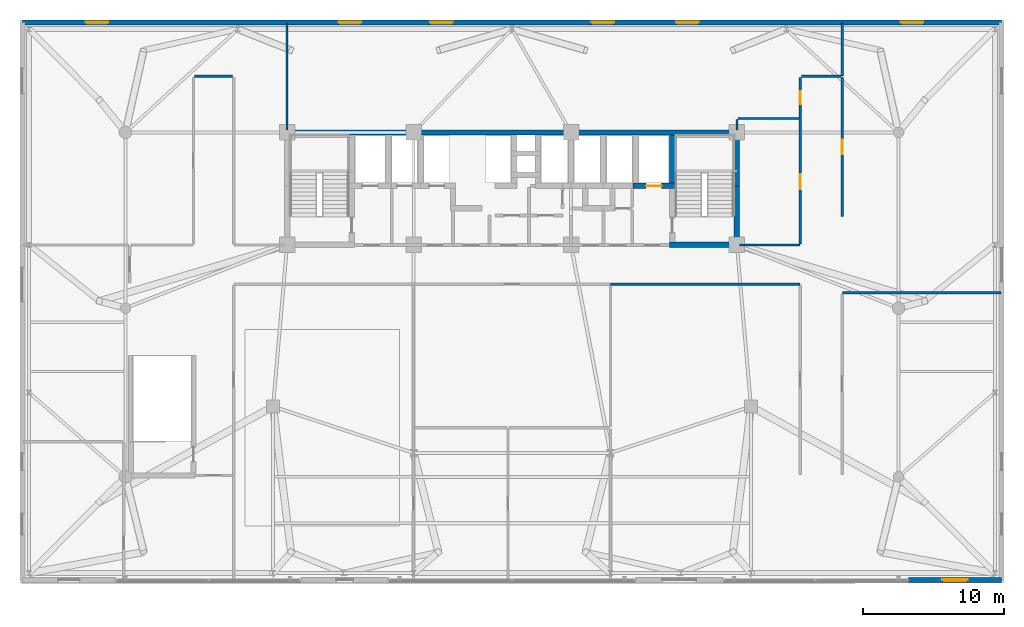
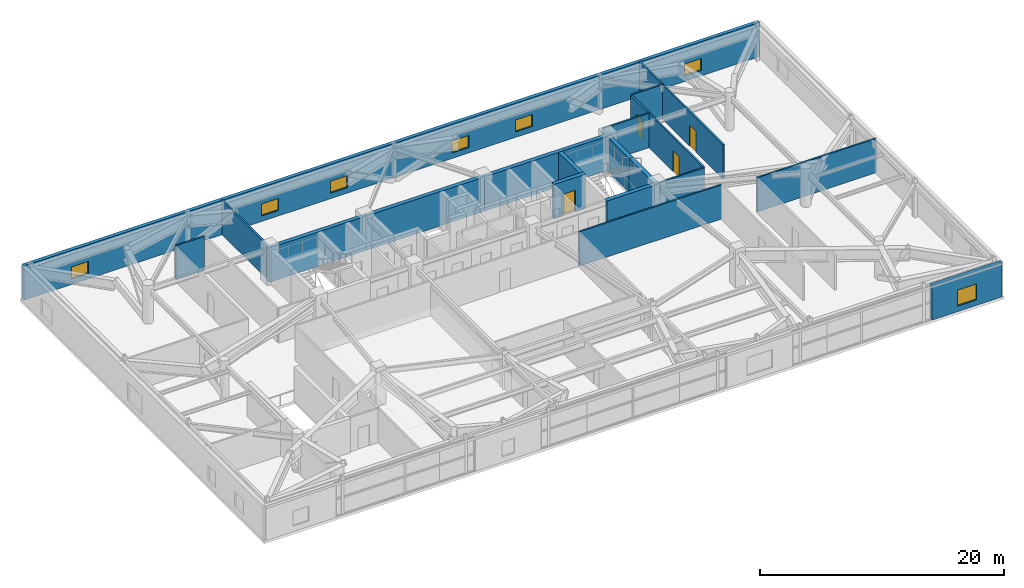
# One storey, part 23 of 27: 22 walls, 7 windows, 4 doors, 11 openings.
"""IFC4 building model written with IfcOpenShell, lengths in metres."""

import ifcopenshell
import ifcopenshell.guid

model = None  # the IFC model being written
_history = None  # IfcOwnerHistory: only IFC2X3 demands one
_inside = {}  # id of a spatial element -> (the spatial element, [elements in it])
_under = {}  # id of a project, library or spatial element -> (it, [spatial elements below it])
_declared = {}  # id of a project -> (the project, [libraries it declares])
_typed = {}  # id of a type object -> (the type object, [elements of that type])
_made_of = {}  # id of a material, layer set ... -> (it, [elements and type objects made of it])


def new_model(schema):
    """Start an empty IFC model of exactly this schema.

    Asked for "IFC4X3", IfcOpenShell would pick the latest addendum, in which some entities
    have other attributes; the version numbers below select the first issue.
    IFC2X3 requires an IfcOwnerHistory on every rooted entity: one is made here for all.
    """
    global model, _history
    if schema == "IFC4X3":
        model = ifcopenshell.file(schema_version=(4, 3, 0, 0))
    else:
        model = ifcopenshell.file(schema=schema)
    _inside.clear()
    _under.clear()
    _declared.clear()
    _typed.clear()
    _made_of.clear()
    _history = None
    if model.schema == "IFC2X3":
        org = make("IfcOrganization", Name="unknown")
        user = make(
            "IfcPersonAndOrganization",
            ThePerson=make("IfcPerson", FamilyName="unknown"),
            TheOrganization=org,
        )
        app = make(
            "IfcApplication",
            ApplicationDeveloper=org,
            Version="unknown",
            ApplicationFullName="unknown",
            ApplicationIdentifier="unknown",
        )
        _history = make(
            "IfcOwnerHistory",
            OwningUser=user,
            OwningApplication=app,
            ChangeAction="ADDED",
            CreationDate=0,
        )
    return model


def make(cls, **values):
    """One entity of the class cls with the attributes given. An attribute that is None is left unset."""
    return model.create_entity(
        cls, **{name: value for name, value in values.items() if value is not None}
    )


def rooted(cls, **values):
    """An entity with a GlobalId (a new one), such as an element, a storey or a relation."""
    return make(cls, GlobalId=ifcopenshell.guid.new(), OwnerHistory=_history, **values)


def si_unit(unit_type, name, prefix=None):
    """IfcSIUnit, for example si_unit("LENGTHUNIT", "METRE", prefix="MILLI")."""
    return make("IfcSIUnit", UnitType=unit_type, Prefix=prefix, Name=name)


def assignment(units):
    """IfcUnitAssignment: the units of a project."""
    return None if units is None else make("IfcUnitAssignment", Units=units)


def point(xyz):
    """IfcCartesianPoint."""
    return None if xyz is None else make("IfcCartesianPoint", Coordinates=xyz)


def direction(xyz):
    """IfcDirection."""
    return None if xyz is None else make("IfcDirection", DirectionRatios=xyz)


def frame(location, z_axis=None, x_axis=None):
    """IfcAxis2Placement3D, a coordinate frame: its origin and axes. An axis left out is left unset."""
    return make(
        "IfcAxis2Placement3D",
        Location=point(location),
        Axis=direction(z_axis),
        RefDirection=direction(x_axis),
    )


def frame_2d(location, x_axis=None):
    """IfcAxis2Placement2D, a coordinate frame in the plane: its origin and x axis."""
    return make(
        "IfcAxis2Placement2D", Location=point(location), RefDirection=direction(x_axis)
    )


def origin():
    """The frame at (0, 0, 0) with its axes left unset."""
    return frame((0.0, 0.0, 0.0))


def place(relative_to, where):
    """IfcLocalPlacement: puts the frame where relative to a parent placement (None: the world)."""
    return make(
        "IfcLocalPlacement", PlacementRelTo=relative_to, RelativePlacement=where
    )


def context(
    kind, dimensions, precision=None, world=None, true_north=None, identifier=None
):
    """IfcGeometricRepresentationContext, for example the 3D "Model" context."""
    return make(
        "IfcGeometricRepresentationContext",
        ContextIdentifier=identifier,
        ContextType=kind,
        CoordinateSpaceDimension=dimensions,
        Precision=precision,
        WorldCoordinateSystem=world,
        TrueNorth=true_north,
    )


def subcontext(parent, identifier, kind, view, scale=None):
    """IfcGeometricRepresentationSubContext, for example "Body" below "Model"."""
    return make(
        "IfcGeometricRepresentationSubContext",
        ContextIdentifier=identifier,
        ContextType=kind,
        ParentContext=parent,
        TargetScale=scale,
        TargetView=view,
    )


def project(units=None, contexts=None):
    """IfcProject with its units and contexts."""
    return rooted(
        "IfcProject",
        Name="project",
        RepresentationContexts=contexts,
        UnitsInContext=assignment(units),
    )


def spatial(cls, under=None, at=None, **own):
    """A site, building, storey or space (cls), placed at a placement, below another one or the project."""
    s = rooted(cls, ObjectPlacement=at, **own)
    if under is not None:
        _under.setdefault(under.id(), (under, []))[1].append(s)
    return s


def profile(cls, at=None, kind="AREA", **sizes):
    """A parametric profile (cls). Its sizes go by their IFC names, for example OverallWidth=200.0."""
    return make(cls, ProfileType=kind, Position=at, **sizes)


def rectangle(**sizes):
    """IfcRectangleProfileDef."""
    return profile("IfcRectangleProfileDef", **sizes)


def extrude(swept, where, along, depth):
    """IfcExtrudedAreaSolid: the profile swept, set in the frame where, extruded along a direction by depth."""
    return make(
        "IfcExtrudedAreaSolid",
        SweptArea=swept,
        Position=where,
        ExtrudedDirection=direction(along),
        Depth=depth,
    )


def shape(context_of_items, identifier, shape_type, items):
    """IfcShapeRepresentation: the items that make up one representation, for example the "Body"."""
    return make(
        "IfcShapeRepresentation",
        ContextOfItems=context_of_items,
        RepresentationIdentifier=identifier,
        RepresentationType=shape_type,
        Items=items,
    )


def source(mapping_origin, context_of_items, identifier, shape_type, items):
    """IfcRepresentationMap: a shape defined once, which mapped items show again and again."""
    return make(
        "IfcRepresentationMap",
        MappingOrigin=mapping_origin,
        MappedRepresentation=shape(context_of_items, identifier, shape_type, items),
    )


def transform(
    local_origin,
    x_axis=None,
    y_axis=None,
    z_axis=None,
    scale=None,
    scale2=None,
    scale3=None,
    uniform=True,
):
    """IfcCartesianTransformationOperator3D, or its non-uniform kind. x_axis, y_axis, z_axis: its Axis1, 2, 3."""
    if uniform:
        return make(
            "IfcCartesianTransformationOperator3D",
            Axis1=direction(x_axis),
            Axis2=direction(y_axis),
            LocalOrigin=point(local_origin),
            Scale=scale,
            Axis3=direction(z_axis),
        )
    return make(
        "IfcCartesianTransformationOperator3DnonUniform",
        Axis1=direction(x_axis),
        Axis2=direction(y_axis),
        LocalOrigin=point(local_origin),
        Scale=scale,
        Axis3=direction(z_axis),
        Scale2=scale2,
        Scale3=scale3,
    )


def mapped(mapping_source, mapping_target):
    """IfcMappedItem: shows the shape of a source again, moved by a transform."""
    return make(
        "IfcMappedItem", MappingSource=mapping_source, MappingTarget=mapping_target
    )


def material(Name=None, Category=None):
    """IfcMaterial."""
    return make("IfcMaterial", Name=Name, Category=Category)


def layer(
    of_material, thickness, ventilated=None, Name=None, Category=None, Priority=None
):
    """IfcMaterialLayer: one layer of a wall or slab, of a material (None: an air gap)."""
    return make(
        "IfcMaterialLayer",
        Material=of_material,
        LayerThickness=thickness,
        IsVentilated=ventilated,
        Name=Name,
        Category=Category,
        Priority=Priority,
    )


def layer_set(layers, Name=None):
    """IfcMaterialLayerSet."""
    return make("IfcMaterialLayerSet", MaterialLayers=layers, LayerSetName=Name)


def made_of(thing, what):
    """Note that an element or type object is made of a material, layer set ...; save() writes the relation."""
    if what is not None:
        _made_of.setdefault(what.id(), (what, []))[1].append(thing)
    return thing


def type_object(cls, material=None, **own):
    """A type object (cls), such as IfcWallType, which elements share."""
    return made_of(rooted(cls, **own), material)


def element(
    cls,
    number,
    at=None,
    inside=None,
    cuts=None,
    type_object=None,
    material=None,
    context=None,
    identifier="Body",
    shape_type=None,
    held_by="IfcProductDefinitionShape",
    body=None,
    shapes=None,
    **own,
):
    """One element of the class cls, such as IfcWall. Its Tag is "e" and its number.

    at: its placement. inside: the storey or other place that contains it. cuts: it is an
    opening in that element (IfcRelVoidsElement). A single representation is given by context,
    identifier, shape_type and body (its items); several are given by shapes. held_by: the class
    of the entity that holds the representations. save() writes the other relations.
    """
    e = rooted(cls, Tag="e%d" % number, ObjectPlacement=at, **own)
    if body is not None:
        shapes = [shape(context, identifier, shape_type, body)]
    if shapes is not None:
        e.Representation = make(held_by, Representations=shapes)
    if inside is not None:
        _inside.setdefault(inside.id(), (inside, []))[1].append(e)
    if cuts is not None:
        rooted(
            "IfcRelVoidsElement", RelatingBuildingElement=cuts, RelatedOpeningElement=e
        )
    if type_object is not None:
        _typed.setdefault(type_object.id(), (type_object, []))[1].append(e)
    return made_of(e, material)


def fill(opening, filler):
    """IfcRelFillsElement: the door or window that sits in an opening."""
    return rooted(
        "IfcRelFillsElement",
        RelatingOpeningElement=opening,
        RelatedBuildingElement=filler,
    )


def aggregate(whole, parts):
    """IfcRelAggregates: a whole, such as a stair, and the parts it consists of."""
    return rooted("IfcRelAggregates", RelatingObject=whole, RelatedObjects=parts)


def save(model, path):
    """Write the relations noted so far, then the file.

    IfcRelAggregates (storeys below a building ...), IfcRelContainedInSpatialStructure (elements
    in a storey), IfcRelDefinesByType, IfcRelAssociatesMaterial and IfcRelDeclares: one each for
    every whole, place, type object, material and project.
    """
    for whole, parts in _under.values():
        aggregate(whole, parts)
    for where, things in _inside.values():
        rooted(
            "IfcRelContainedInSpatialStructure",
            RelatedElements=things,
            RelatingStructure=where,
        )
    for kind, things in _typed.values():
        rooted("IfcRelDefinesByType", RelatedObjects=things, RelatingType=kind)
    for what, things in _made_of.values():
        rooted("IfcRelAssociatesMaterial", RelatedObjects=things, RelatingMaterial=what)
    for by, libraries in _declared.values():
        rooted("IfcRelDeclares", RelatingContext=by, RelatedDefinitions=libraries)
    model.write(path)


model = new_model("IFC4")

# Units and contexts
model_context = context("Model", 3, precision=1e-05, world=origin(), true_north=direction((0.0, 1.0)))
body_context = subcontext(model_context, "Body", "Model", "MODEL_VIEW")
ifc_project = project(units=[si_unit("LENGTHUNIT", "METRE"), si_unit("AREAUNIT", "SQUARE_METRE"), si_unit("VOLUMEUNIT", "CUBIC_METRE"), si_unit("PLANEANGLEUNIT", "RADIAN"), si_unit("MASSUNIT", "GRAM", prefix="KILO")], contexts=[model_context])

# Site, building, storey
site_placement = place(None, origin())
site = spatial("IfcSite", under=ifc_project, at=site_placement, CompositionType="ELEMENT")
building_placement = place(site_placement, origin())
building = spatial("IfcBuilding", under=site, at=building_placement, Name="Taldren Reach Tower", CompositionType="ELEMENT")
storey_placement = place(building_placement, frame((0.0, 0.0, 12.949951171875)))
storey = spatial("IfcBuildingStorey", under=building, at=storey_placement, Name="L03", CompositionType="ELEMENT", Elevation=12.949951171875)

# Wall, opening, window
ifc_material_1 = material(Name="Pale Champagne Anodised Aluminium Cladding", Category="aluminium")
ifc_layer_1 = layer(ifc_material_1, 0.04, Name="Pale Champagne Anodised Aluminium Cladding", Category="aluminium")
ifc_material_2 = material(Name="Mineral Wool Thermal Insulation", Category="insulation")
ifc_layer_2 = layer(ifc_material_2, 0.08, Name="Mineral Wool Thermal Insulation", Category="insulation")
ifc_material_3 = material(Name="Concrete S50 (50 MPa)", Category="concrete")
ifc_layer_3 = layer(ifc_material_3, 0.22, Name="Concrete S50 (50 MPa)", Category="concrete")
ifc_layer_set_1 = layer_set([ifc_layer_1, ifc_layer_2, ifc_layer_3], Name="Pale Champagne Aluminium Cladding and Precast Concrete 50 MPa (S50)")
wall_type_1 = type_object("IfcWallType", Name="EW-POD-340", PredefinedType="SOLIDWALL", material=ifc_layer_set_1)
shared_shape_1 = source(origin(), body_context, "Body", "SweptSolid", [
    extrude(rectangle(XDim=6.630126953125, YDim=0.340087890625, at=frame_2d((3.31494140625, 0.0))), origin(), (0.0, 0.0, 1.0), 3.429931640625),
])
wall_1_placement = place(storey_placement, frame((63.199951171875, 0.169921875, 0.0), z_axis=(0.0, 0.0, 1.0), x_axis=(1.0, 0.0, 0.0)))
wall_1 = element("IfcWall", 1, at=wall_1_placement, inside=storey, type_object=wall_type_1, Name="Podium south facade wall L03-S4", PredefinedType="SOLIDWALL", context=body_context, shape_type="MappedRepresentation", body=[
    mapped(shared_shape_1, transform((0.0, 0.0, 0.0), scale=1.0)),
])
shared_shape_2 = source(origin(), body_context, "Body", "SweptSolid", [
    extrude(rectangle(XDim=1.800048828125, YDim=1.60009765625, at=frame_2d((0.89990234375, 0.800048828125))), frame((0.0, 0.18017578125, 0.0), z_axis=(0.0, -1.0, 0.0), x_axis=(1.0, 0.0, 0.0)), (0.0, 0.0, 1.0), 0.360107421875),
])
opening_1_placement = place(wall_1_placement, frame((2.4150390625, 0.0, 0.550048828125)))
opening_1 = element("IfcOpeningElement", 2, at=opening_1_placement, cuts=wall_1, Name="Opening W-1816", PredefinedType="OPENING", context=body_context, shape_type="MappedRepresentation", body=[
    mapped(shared_shape_2, transform((0.0, 0.0, 0.0), scale=1.0)),
])
ifc_material_4 = material(Name="Thermally Broken Aluminium and Low-E IGU", Category="aluminium")
window_type_1 = type_object("IfcWindowType", Name="WN-POD-1800", PartitioningType="SINGLE_PANEL", PredefinedType="WINDOW", material=ifc_material_4)
shared_shape_3 = source(origin(), body_context, "Body", "SweptSolid", [
    extrude(rectangle(XDim=1.800048828125, YDim=1.60009765625, at=frame_2d((0.89990234375, 0.800048828125))), frame((0.0, 0.030029296875, 0.0), z_axis=(0.0, -1.0, 0.0), x_axis=(1.0, 0.0, 0.0)), (0.0, 0.0, 1.0), 0.06005859375),
])
window_1_placement = place(opening_1_placement, origin())
window_1 = element("IfcWindow", 3, at=window_1_placement, inside=storey, type_object=window_type_1, Name="Podium clinical window L03-S4", OverallHeight=1.60009765625, OverallWidth=1.800048828125, PartitioningType="SINGLE_PANEL", PredefinedType="WINDOW", context=body_context, shape_type="MappedRepresentation", body=[
    mapped(shared_shape_3, transform((0.0, 0.0, 0.0), scale=1.0)),
])
fill(opening_1, window_1)

# Wall, openings, windows
shared_shape_4 = source(origin(), body_context, "Body", "SweptSolid", [
    extrude(rectangle(XDim=69.66015625, YDim=0.340087890625, at=frame_2d((34.830078125, 0.0))), origin(), (0.0, 0.0, 1.0), 3.429931640625),
])
wall_2_placement = place(storey_placement, frame((0.169921875, 39.830078125, 0.0), z_axis=(0.0, 0.0, 1.0), x_axis=(1.0, 0.0, 0.0)))
wall_2 = element("IfcWall", 4, at=wall_2_placement, inside=storey, type_object=wall_type_1, Name="Podium facade wall L03-N", PredefinedType="SOLIDWALL", context=body_context, shape_type="MappedRepresentation", body=[
    mapped(shared_shape_4, transform((0.0, 0.0, 0.0), scale=1.0)),
])
shared_shape_5 = source(origin(), body_context, "Body", "SweptSolid", [
    extrude(rectangle(XDim=1.60009765625, YDim=1.199951171875, at=frame_2d((0.800048828125, 0.60009765625))), frame((0.0, 0.18017578125, 0.0), z_axis=(0.0, -1.0, 0.0), x_axis=(1.0, 0.0, 0.0)), (0.0, 0.0, 1.0), 0.360107421875),
])
opening_2_placement = place(wall_2_placement, frame((4.5, 0.0, 0.550048828125)))
opening_2 = element("IfcOpeningElement", 5, at=opening_2_placement, cuts=wall_2, Name="Opening W-1612", PredefinedType="OPENING", context=body_context, shape_type="MappedRepresentation", body=[
    mapped(shared_shape_5, transform((0.0, 0.0, 0.0), scale=1.0)),
])
opening_3_placement = place(wall_2_placement, frame((22.5, 0.0, 0.550048828125)))
opening_3 = element("IfcOpeningElement", 6, at=opening_3_placement, cuts=wall_2, Name="Opening W-1612", PredefinedType="OPENING", context=body_context, shape_type="MappedRepresentation", body=[
    mapped(shared_shape_5, transform((0.0, 0.0, 0.0), scale=1.0)),
])
opening_4_placement = place(wall_2_placement, frame((29.0, 0.0, 0.550048828125)))
opening_4 = element("IfcOpeningElement", 7, at=opening_4_placement, cuts=wall_2, Name="Opening W-1612", PredefinedType="OPENING", context=body_context, shape_type="MappedRepresentation", body=[
    mapped(shared_shape_5, transform((0.0, 0.0, 0.0), scale=1.0)),
])
opening_5_placement = place(wall_2_placement, frame((40.5, 0.0, 0.550048828125)))
opening_5 = element("IfcOpeningElement", 8, at=opening_5_placement, cuts=wall_2, Name="Opening W-1612", PredefinedType="OPENING", context=body_context, shape_type="MappedRepresentation", body=[
    mapped(shared_shape_5, transform((0.0, 0.0, 0.0), scale=1.0)),
])
opening_6_placement = place(wall_2_placement, frame((46.5, 0.0, 0.550048828125)))
opening_6 = element("IfcOpeningElement", 9, at=opening_6_placement, cuts=wall_2, Name="Opening W-1612", PredefinedType="OPENING", context=body_context, shape_type="MappedRepresentation", body=[
    mapped(shared_shape_5, transform((0.0, 0.0, 0.0), scale=1.0)),
])
opening_7_placement = place(wall_2_placement, frame((62.5, 0.0, 0.550048828125)))
opening_7 = element("IfcOpeningElement", 10, at=opening_7_placement, cuts=wall_2, Name="Opening W-1612", PredefinedType="OPENING", context=body_context, shape_type="MappedRepresentation", body=[
    mapped(shared_shape_5, transform((0.0, 0.0, 0.0), scale=1.0)),
])
window_type_2 = type_object("IfcWindowType", Name="WN-CLN-1600", PartitioningType="SINGLE_PANEL", PredefinedType="WINDOW", material=ifc_material_4)
shared_shape_6 = source(origin(), body_context, "Body", "SweptSolid", [
    extrude(rectangle(XDim=1.60009765625, YDim=1.199951171875, at=frame_2d((0.800048828125, 0.60009765625))), frame((0.0, 0.030029296875, 0.0), z_axis=(0.0, -1.0, 0.0), x_axis=(1.0, 0.0, 0.0)), (0.0, 0.0, 1.0), 0.06005859375),
])
window_2_placement = place(opening_2_placement, origin())
window_2 = element("IfcWindow", 11, at=window_2_placement, inside=storey, type_object=window_type_2, Name="Clinical window L03-N1", OverallHeight=1.199951171875, OverallWidth=1.60009765625, PartitioningType="SINGLE_PANEL", PredefinedType="WINDOW", context=body_context, shape_type="MappedRepresentation", body=[
    mapped(shared_shape_6, transform((0.0, 0.0, 0.0), scale=1.0)),
])
fill(opening_2, window_2)
window_3_placement = place(opening_3_placement, origin())
window_3 = element("IfcWindow", 12, at=window_3_placement, inside=storey, type_object=window_type_2, Name="Clinical window L03-N2", OverallHeight=1.199951171875, OverallWidth=1.60009765625, PartitioningType="SINGLE_PANEL", PredefinedType="WINDOW", context=body_context, shape_type="MappedRepresentation", body=[
    mapped(shared_shape_6, transform((0.0, 0.0, 0.0), scale=1.0)),
])
fill(opening_3, window_3)
window_4_placement = place(opening_4_placement, origin())
window_4 = element("IfcWindow", 13, at=window_4_placement, inside=storey, type_object=window_type_2, Name="Clinical window L03-N3", OverallHeight=1.199951171875, OverallWidth=1.60009765625, PartitioningType="SINGLE_PANEL", PredefinedType="WINDOW", context=body_context, shape_type="MappedRepresentation", body=[
    mapped(shared_shape_6, transform((0.0, 0.0, 0.0), scale=1.0)),
])
fill(opening_4, window_4)
window_5_placement = place(opening_5_placement, origin())
window_5 = element("IfcWindow", 14, at=window_5_placement, inside=storey, type_object=window_type_2, Name="Clinical window L03-N4", OverallHeight=1.199951171875, OverallWidth=1.60009765625, PartitioningType="SINGLE_PANEL", PredefinedType="WINDOW", context=body_context, shape_type="MappedRepresentation", body=[
    mapped(shared_shape_6, transform((0.0, 0.0, 0.0), scale=1.0)),
])
fill(opening_5, window_5)
window_6_placement = place(opening_6_placement, origin())
window_6 = element("IfcWindow", 15, at=window_6_placement, inside=storey, type_object=window_type_2, Name="Clinical window L03-N5", OverallHeight=1.199951171875, OverallWidth=1.60009765625, PartitioningType="SINGLE_PANEL", PredefinedType="WINDOW", context=body_context, shape_type="MappedRepresentation", body=[
    mapped(shared_shape_6, transform((0.0, 0.0, 0.0), scale=1.0)),
])
fill(opening_6, window_6)
window_7_placement = place(opening_7_placement, origin())
window_7 = element("IfcWindow", 16, at=window_7_placement, inside=storey, type_object=window_type_2, Name="Clinical window L03-N6", OverallHeight=1.199951171875, OverallWidth=1.60009765625, PartitioningType="SINGLE_PANEL", PredefinedType="WINDOW", context=body_context, shape_type="MappedRepresentation", body=[
    mapped(shared_shape_6, transform((0.0, 0.0, 0.0), scale=1.0)),
])
fill(opening_7, window_7)

# Walls
ifc_material_5 = material(Name="Concrete S80 (80 MPa)", Category="concrete")
ifc_layer_4 = layer(ifc_material_5, 0.3798828125)
ifc_layer_set_2 = layer_set([ifc_layer_4], Name="Concrete S80 (80 MPa)")
wall_type_2 = type_object("IfcWallType", Name="IW-CORE-380", PredefinedType="SHEAR", material=ifc_layer_set_2)
shared_shape_7 = source(origin(), body_context, "Body", "SweptSolid", [
    extrude(rectangle(XDim=9.18994140625, YDim=0.3798828125, at=frame_2d((4.594970703125, 0.0))), origin(), (0.0, 0.0, 1.0), 3.429931640625),
])
wall_3_placement = place(storey_placement, frame((18.81005859375, 32.0, 0.0), z_axis=(0.0, 0.0, 1.0), x_axis=(1.0, 0.0, 0.0)))
element("IfcWall", 17, at=wall_3_placement, inside=storey, type_object=wall_type_2, Name="Rear Core Shear Wall W-CORE-L03-NORTH1", PredefinedType="SHEAR", context=body_context, shape_type="MappedRepresentation", body=[
    mapped(shared_shape_7, transform((0.0, 0.0, 0.0), scale=1.0)),
])
shared_shape_8 = source(origin(), body_context, "Body", "SweptSolid", [
    extrude(rectangle(XDim=11.199951171875, YDim=0.3798828125, at=frame_2d((5.60009765625, 0.0))), origin(), (0.0, 0.0, 1.0), 3.429931640625),
])
wall_4_placement = place(storey_placement, frame((28.0, 32.0, 0.0), z_axis=(0.0, 0.0, 1.0), x_axis=(1.0, 0.0, 0.0)))
element("IfcWall", 18, at=wall_4_placement, inside=storey, type_object=wall_type_2, Name="Rear Core Shear Wall W-CORE-L03-NORTH2", PredefinedType="SHEAR", context=body_context, shape_type="MappedRepresentation", body=[
    mapped(shared_shape_8, transform((0.0, 0.0, 0.0), scale=1.0)),
])
shared_shape_9 = source(origin(), body_context, "Body", "SweptSolid", [
    extrude(rectangle(XDim=11.989990234375, YDim=0.3798828125, at=frame_2d((5.9951171875, 0.0))), origin(), (0.0, 0.0, 1.0), 3.429931640625),
])
wall_5_placement = place(storey_placement, frame((39.199951171875, 32.0, 0.0), z_axis=(0.0, 0.0, 1.0), x_axis=(1.0, 0.0, 0.0)))
element("IfcWall", 19, at=wall_5_placement, inside=storey, type_object=wall_type_2, Name="Rear Core Shear Wall W-CORE-L03-NORTH3", PredefinedType="SHEAR", context=body_context, shape_type="MappedRepresentation", body=[
    mapped(shared_shape_9, transform((0.0, 0.0, 0.0), scale=1.0)),
])
shared_shape_10 = source(origin(), body_context, "Body", "SweptSolid", [
    extrude(rectangle(XDim=4.010009765625, YDim=0.3798828125, at=frame_2d((2.0048828125, 0.0))), origin(), (0.0, 0.0, 1.0), 3.429931640625),
])
wall_6_placement = place(storey_placement, frame((51.0, 24.18994140625, 0.0), z_axis=(0.0, 0.0, 1.0), x_axis=(0.0, 1.0, 0.0)))
element("IfcWall", 20, at=wall_6_placement, inside=storey, type_object=wall_type_2, Name="Rear Core Shear Wall W-CORE-L03-EAST1", PredefinedType="SHEAR", context=body_context, shape_type="MappedRepresentation", body=[
    mapped(shared_shape_10, transform((0.0, 0.0, 0.0), scale=1.0)),
])
shared_shape_11 = source(origin(), body_context, "Body", "SweptSolid", [
    extrude(rectangle(XDim=3.610107421875, YDim=0.3798828125, at=frame_2d((1.80517578125, 0.0))), origin(), (0.0, 0.0, 1.0), 3.429931640625),
])
wall_7_placement = place(storey_placement, frame((51.0, 28.199951171875, 0.0), z_axis=(0.0, 0.0, 1.0), x_axis=(0.0, 1.0, 0.0)))
element("IfcWall", 21, at=wall_7_placement, inside=storey, type_object=wall_type_2, Name="Rear Core Shear Wall W-CORE-L03-EAST2", PredefinedType="SHEAR", context=body_context, shape_type="MappedRepresentation", body=[
    mapped(shared_shape_11, transform((0.0, 0.0, 0.0), scale=1.0)),
])
shared_shape_12 = source(origin(), body_context, "Body", "SweptSolid", [
    extrude(rectangle(XDim=3.420166015625, YDim=0.3798828125, at=frame_2d((1.7099609375, 0.0))), origin(), (0.0, 0.0, 1.0), 3.429931640625),
])
wall_8_placement = place(storey_placement, frame((46.39990234375, 31.81005859375, 0.0), z_axis=(0.0, 0.0, 1.0), x_axis=(0.0, -1.0, 0.0)))
element("IfcWall", 22, at=wall_8_placement, inside=storey, type_object=wall_type_2, Name="Rear Core Shear Wall W-INT-L03-008", PredefinedType="SHEAR", context=body_context, shape_type="MappedRepresentation", body=[
    mapped(shared_shape_12, transform((0.0, 0.0, 0.0), scale=1.0)),
])
shared_shape_13 = source(origin(), body_context, "Body", "SweptSolid", [
    extrude(rectangle(XDim=4.97998046875, YDim=0.3798828125, at=frame_2d((2.489990234375, 0.0))), origin(), (0.0, 0.0, 1.0), 3.429931640625),
])
wall_9_placement = place(storey_placement, frame((46.2099609375, 24.0, 0.0), z_axis=(0.0, 0.0, 1.0), x_axis=(1.0, 0.0, 0.0)))
element("IfcWall", 23, at=wall_9_placement, inside=storey, type_object=wall_type_2, Name="Rear Core Shear Wall W-INT-L03-010", PredefinedType="SHEAR", context=body_context, shape_type="MappedRepresentation", body=[
    mapped(shared_shape_13, transform((0.0, 0.0, 0.0), scale=1.0)),
])

# Wall, opening, door
shared_shape_14 = source(origin(), body_context, "Body", "SweptSolid", [
    extrude(rectangle(XDim=2.97998046875, YDim=0.3798828125, at=frame_2d((1.489990234375, 0.0))), origin(), (0.0, 0.0, 1.0), 3.429931640625),
])
wall_10_placement = place(storey_placement, frame((43.610107421875, 28.199951171875, 0.0), z_axis=(0.0, 0.0, 1.0), x_axis=(1.0, 0.0, 0.0)))
wall_10 = element("IfcWall", 24, at=wall_10_placement, inside=storey, type_object=wall_type_2, Name="Rear Core Shear Wall W-INT-L03-011", PredefinedType="SHEAR", context=body_context, shape_type="MappedRepresentation", body=[
    mapped(shared_shape_14, transform((0.0, 0.0, 0.0), scale=1.0)),
])
shared_shape_15 = source(origin(), body_context, "Body", "SweptSolid", [
    extrude(rectangle(XDim=1.10009765625, YDim=2.14990234375, at=frame_2d((0.550048828125, 1.074951171875))), frame((0.0, 0.199951171875, 0.0), z_axis=(0.0, -1.0, 0.0), x_axis=(1.0, 0.0, 0.0)), (0.0, 0.0, 1.0), 0.39990234375),
])
opening_8_placement = place(wall_10_placement, frame((0.93994140625, 0.0, 0.0)))
opening_8 = element("IfcOpeningElement", 25, at=opening_8_placement, cuts=wall_10, Name="Opening LD-FL2", PredefinedType="OPENING", context=body_context, shape_type="MappedRepresentation", body=[
    mapped(shared_shape_15, transform((0.0, 0.0, 0.0), scale=1.0)),
])
ifc_material_6 = material(Name="Stainless Steel Gr 316 Emergency Lift Landing Door", Category="steel")
door_type_1 = type_object("IfcDoorType", Name="LD-EMG-110", OperationType="SLIDING_TO_LEFT", PredefinedType="DOOR", material=ifc_material_6)
shared_shape_16 = source(origin(), body_context, "Body", "SweptSolid", [
    extrude(rectangle(XDim=1.10009765625, YDim=2.14990234375, at=frame_2d((0.550048828125, 1.074951171875))), frame((0.0, 0.02490234375, 0.0), z_axis=(0.0, -1.0, 0.0), x_axis=(1.0, 0.0, 0.0)), (0.0, 0.0, 1.0), 0.050048828125),
])
door_1_placement = place(opening_8_placement, origin())
door_1 = element("IfcDoor", 26, at=door_1_placement, inside=storey, type_object=door_type_1, Name="Lift Landing Door LD-FL2-L03", OperationType="SLIDING_TO_LEFT", OverallHeight=2.14990234375, OverallWidth=1.10009765625, PredefinedType="DOOR", context=body_context, shape_type="MappedRepresentation", body=[
    mapped(shared_shape_16, transform((0.0, 0.0, 0.0), scale=1.0)),
])
fill(opening_8, door_1)

# Walls
ifc_material_7 = material(Name="Fire-Rated Acoustic Plasterboard Stud Wall", Category="gypsum")
ifc_layer_5 = layer(ifc_material_7, 0.159912109375)
ifc_layer_set_3 = layer_set([ifc_layer_5], Name="Fire-Rated Acoustic Plasterboard Stud Wall")
wall_type_3 = type_object("IfcWallType", Name="IW-FIRE-160", PredefinedType="PARTITIONING", material=ifc_layer_set_3)
shared_shape_17 = source(origin(), body_context, "Body", "SweptSolid", [
    extrude(rectangle(XDim=13.45947265625, YDim=0.159912109375, at=frame_2d((6.729736328125, 0.0))), origin(), (0.0, 0.0, 1.0), 3.429931640625),
])
wall_11_placement = place(storey_placement, frame((55.479736328125, 21.199951171875, 0.0), z_axis=(0.0, 0.0, 1.0), x_axis=(-1.0, 0.0, 0.0)))
element("IfcWall", 27, at=wall_11_placement, inside=storey, type_object=wall_type_3, Name="Interior Partition Wall W-INT-L03-068", PredefinedType="PARTITIONING", context=body_context, shape_type="MappedRepresentation", body=[
    mapped(shared_shape_17, transform((0.0, 0.0, 0.0), scale=1.0)),
])
shared_shape_18 = source(origin(), body_context, "Body", "SweptSolid", [
    extrude(rectangle(XDim=2.7001953125, YDim=0.159912109375, at=frame_2d((1.35009765625, 0.0))), origin(), (0.0, 0.0, 1.0), 3.429931640625),
])
wall_12_placement = place(storey_placement, frame((12.419921875, 36.0, 0.0), z_axis=(0.0, 0.0, 1.0), x_axis=(1.0, 0.0, 0.0)))
element("IfcWall", 28, at=wall_12_placement, inside=storey, type_object=wall_type_3, Name="Interior Partition Wall W-INT-L03-075", PredefinedType="PARTITIONING", context=body_context, shape_type="MappedRepresentation", body=[
    mapped(shared_shape_18, transform((0.0, 0.0, 0.0), scale=1.0)),
])
shared_shape_19 = source(origin(), body_context, "Body", "SweptSolid", [
    extrude(rectangle(XDim=11.249755859375, YDim=0.159912109375, at=frame_2d((5.625, 0.0))), origin(), (0.0, 0.0, 1.0), 3.429931640625),
])
wall_13_placement = place(storey_placement, frame((69.77001953125, 20.60009765625, 0.0), z_axis=(0.0, 0.0, 1.0), x_axis=(-1.0, 0.0, 0.0)))
element("IfcWall", 29, at=wall_13_placement, inside=storey, type_object=wall_type_3, Name="Interior Partition Wall W-INT-L03-077", PredefinedType="PARTITIONING", context=body_context, shape_type="MappedRepresentation", body=[
    mapped(shared_shape_19, transform((0.0, 0.0, 0.0), scale=1.0)),
])

# Wall, opening, door
shared_shape_20 = source(origin(), body_context, "Body", "SweptSolid", [
    extrude(rectangle(XDim=9.899658203125, YDim=0.159912109375, at=frame_2d((4.94970703125, 0.0))), origin(), (0.0, 0.0, 1.0), 3.429931640625),
])
wall_14_placement = place(storey_placement, frame((58.5, 35.919921875, 0.0), z_axis=(0.0, 0.0, 1.0), x_axis=(0.0, -1.0, 0.0)))
wall_14 = element("IfcWall", 30, at=wall_14_placement, inside=storey, type_object=wall_type_3, Name="Interior Partition Wall W-INT-L03-078", PredefinedType="PARTITIONING", context=body_context, shape_type="MappedRepresentation", body=[
    mapped(shared_shape_20, transform((0.0, 0.0, 0.0), scale=1.0)),
])
shared_shape_21 = source(origin(), body_context, "Body", "SweptSolid", [
    extrude(rectangle(XDim=1.050048828125, YDim=2.10009765625, at=frame_2d((0.52490234375, 1.050048828125))), frame((0.0, 0.08984375, 0.0), z_axis=(0.0, -1.0, 0.0), x_axis=(1.0, 0.0, 0.0)), (0.0, 0.0, 1.0), 0.179931640625),
])
opening_9_placement = place(wall_14_placement, frame((4.4248046875, 0.0, 0.0)))
opening_9 = element("IfcOpeningElement", 31, at=opening_9_placement, cuts=wall_14, Name="Opening DF-105", PredefinedType="OPENING", context=body_context, shape_type="MappedRepresentation", body=[
    mapped(shared_shape_21, transform((0.0, 0.0, 0.0), scale=1.0)),
])
ifc_material_8 = material(Name="Fire-Rated Care and Stair Exit Door")
door_type_2 = type_object("IfcDoorType", Name="ID-FIRE-105", OperationType="NOTDEFINED", PredefinedType="DOOR", material=ifc_material_8)
shared_shape_22 = source(origin(), body_context, "Body", "SweptSolid", [
    extrude(rectangle(XDim=1.050048828125, YDim=2.10009765625, at=frame_2d((0.52490234375, 1.050048828125))), frame((0.0, 0.02490234375, 0.0), z_axis=(0.0, -1.0, 0.0), x_axis=(1.0, 0.0, 0.0)), (0.0, 0.0, 1.0), 0.050048828125),
])
door_2_placement = place(opening_9_placement, origin())
door_2 = element("IfcDoor", 32, at=door_2_placement, inside=storey, type_object=door_type_2, Name="Interior Door DR-L03-022", OperationType="SINGLE_SWING_LEFT", OverallHeight=2.10009765625, OverallWidth=1.050048828125, PredefinedType="DOOR", context=body_context, shape_type="MappedRepresentation", body=[
    mapped(shared_shape_22, transform((0.0, 0.0, 0.0), scale=1.0)),
])
fill(opening_9, door_2)

shared_shape_23 = source(origin(), body_context, "Body", "SweptSolid", [
    extrude(rectangle(XDim=8.899658203125, YDim=0.159912109375, at=frame_2d((4.44970703125, 0.0))), origin(), (0.0, 0.0, 1.0), 3.429931640625),
])
wall_15_placement = place(storey_placement, frame((55.5, 24.080078125, 0.0), z_axis=(0.0, 0.0, 1.0), x_axis=(0.0, 1.0, 0.0)))
wall_15 = element("IfcWall", 33, at=wall_15_placement, inside=storey, type_object=wall_type_3, Name="Interior Partition Wall W-INT-L03-079", PredefinedType="PARTITIONING", context=body_context, shape_type="MappedRepresentation", body=[
    mapped(shared_shape_23, transform((0.0, 0.0, 0.0), scale=1.0)),
])
opening_10_placement = place(wall_15_placement, frame((3.89501953125, 0.0, 0.0)))
opening_10 = element("IfcOpeningElement", 34, at=opening_10_placement, cuts=wall_15, Name="Opening DF-105", PredefinedType="OPENING", context=body_context, shape_type="MappedRepresentation", body=[
    mapped(shared_shape_21, transform((0.0, 0.0, 0.0), scale=1.0)),
])
door_3_placement = place(opening_10_placement, origin())
door_3 = element("IfcDoor", 35, at=door_3_placement, inside=storey, type_object=door_type_2, Name="Interior Door DR-L03-023", OperationType="SINGLE_SWING_RIGHT", OverallHeight=2.10009765625, OverallWidth=1.050048828125, PredefinedType="DOOR", context=body_context, shape_type="MappedRepresentation", body=[
    mapped(shared_shape_22, transform((0.0, 0.0, 0.0), scale=1.0)),
])
fill(opening_10, door_3)

# Wall
shared_shape_24 = source(origin(), body_context, "Body", "SweptSolid", [
    extrude(rectangle(XDim=4.289794921875, YDim=0.159912109375, at=frame_2d((2.14501953125, 0.0))), origin(), (0.0, 0.0, 1.0), 3.429931640625),
])
wall_16_placement = place(storey_placement, frame((51.18994140625, 24.0, 0.0), z_axis=(0.0, 0.0, 1.0), x_axis=(1.0, 0.0, 0.0)))
element("IfcWall", 36, at=wall_16_placement, inside=storey, type_object=wall_type_3, Name="Interior Partition Wall W-INT-L03-080", PredefinedType="PARTITIONING", context=body_context, shape_type="MappedRepresentation", body=[
    mapped(shared_shape_24, transform((0.0, 0.0, 0.0), scale=1.0)),
])

# Wall, opening, door
shared_shape_25 = source(origin(), body_context, "Body", "SweptSolid", [
    extrude(rectangle(XDim=2.899658203125, YDim=0.159912109375, at=frame_2d((1.44970703125, 0.0))), origin(), (0.0, 0.0, 1.0), 3.429931640625),
])
wall_17_placement = place(storey_placement, frame((55.5, 33.020263671875, 0.0), z_axis=(0.0, 0.0, 1.0), x_axis=(0.0, 1.0, 0.0)))
wall_17 = element("IfcWall", 37, at=wall_17_placement, inside=storey, type_object=wall_type_3, Name="Interior Partition Wall W-INT-L03-081", PredefinedType="PARTITIONING", context=body_context, shape_type="MappedRepresentation", body=[
    mapped(shared_shape_25, transform((0.0, 0.0, 0.0), scale=1.0)),
])
shared_shape_26 = source(origin(), body_context, "Body", "SweptSolid", [
    extrude(rectangle(XDim=0.919921875, YDim=2.10009765625, at=frame_2d((0.4599609375, 1.050048828125))), frame((0.0, 0.08984375, 0.0), z_axis=(0.0, -1.0, 0.0), x_axis=(1.0, 0.0, 0.0)), (0.0, 0.0, 1.0), 0.179931640625),
])
opening_11_placement = place(wall_17_placement, frame((0.989990234375, 0.0, 0.0)))
opening_11 = element("IfcOpeningElement", 38, at=opening_11_placement, cuts=wall_17, Name="Opening DI-092", PredefinedType="OPENING", context=body_context, shape_type="MappedRepresentation", body=[
    mapped(shared_shape_26, transform((0.0, 0.0, 0.0), scale=1.0)),
])
ifc_material_9 = material(Name="Solid-Core Timber Suite Door", Category="wood")
door_type_3 = type_object("IfcDoorType", Name="ID-INT-092", OperationType="NOTDEFINED", PredefinedType="DOOR", material=ifc_material_9)
shared_shape_27 = source(origin(), body_context, "Body", "SweptSolid", [
    extrude(rectangle(XDim=0.919921875, YDim=2.10009765625, at=frame_2d((0.4599609375, 1.050048828125))), frame((0.0, 0.02490234375, 0.0), z_axis=(0.0, -1.0, 0.0), x_axis=(1.0, 0.0, 0.0)), (0.0, 0.0, 1.0), 0.050048828125),
])
door_4_placement = place(opening_11_placement, origin())
door_4 = element("IfcDoor", 39, at=door_4_placement, inside=storey, type_object=door_type_3, Name="Interior Door DR-L03-024", OperationType="SINGLE_SWING_LEFT", OverallHeight=2.10009765625, OverallWidth=0.919921875, PredefinedType="DOOR", context=body_context, shape_type="MappedRepresentation", body=[
    mapped(shared_shape_27, transform((0.0, 0.0, 0.0), scale=1.0)),
])
fill(opening_11, door_4)

# Walls
shared_shape_28 = source(origin(), body_context, "Body", "SweptSolid", [
    extrude(rectangle(XDim=2.83984375, YDim=0.159912109375, at=frame_2d((1.419921875, 0.0))), origin(), (0.0, 0.0, 1.0), 3.429931640625),
])
wall_18_placement = place(storey_placement, frame((55.580078125, 36.0, 0.0), z_axis=(0.0, 0.0, 1.0), x_axis=(1.0, 0.0, 0.0)))
element("IfcWall", 40, at=wall_18_placement, inside=storey, type_object=wall_type_3, Name="Interior Partition Wall W-INT-L03-082", PredefinedType="PARTITIONING", context=body_context, shape_type="MappedRepresentation", body=[
    mapped(shared_shape_28, transform((0.0, 0.0, 0.0), scale=1.0)),
])
shared_shape_29 = source(origin(), body_context, "Body", "SweptSolid", [
    extrude(rectangle(XDim=7.580078125, YDim=0.159912109375, at=frame_2d((3.7900390625, 0.0))), origin(), (0.0, 0.0, 1.0), 3.429931640625),
])
wall_19_placement = place(storey_placement, frame((19.0, 39.77001953125, 0.0), z_axis=(0.0, 0.0, 1.0), x_axis=(0.0, -1.0, 0.0)))
element("IfcWall", 41, at=wall_19_placement, inside=storey, type_object=wall_type_3, Name="Interior Partition Wall W-INT-L03-094", PredefinedType="PARTITIONING", context=body_context, shape_type="MappedRepresentation", body=[
    mapped(shared_shape_29, transform((0.0, 0.0, 0.0), scale=1.0)),
])
shared_shape_30 = source(origin(), body_context, "Body", "SweptSolid", [
    extrude(rectangle(XDim=3.749755859375, YDim=0.159912109375, at=frame_2d((1.875, 0.0))), origin(), (0.0, 0.0, 1.0), 3.429931640625),
])
wall_20_placement = place(storey_placement, frame((58.5, 36.020263671875, 0.0), z_axis=(0.0, 0.0, 1.0), x_axis=(0.0, 1.0, 0.0)))
element("IfcWall", 42, at=wall_20_placement, inside=storey, type_object=wall_type_3, Name="Interior Partition Wall W-INT-L03-095", PredefinedType="PARTITIONING", context=body_context, shape_type="MappedRepresentation", body=[
    mapped(shared_shape_30, transform((0.0, 0.0, 0.0), scale=1.0)),
])
shared_shape_31 = source(origin(), body_context, "Body", "SweptSolid", [
    extrude(rectangle(XDim=4.33984375, YDim=0.159912109375, at=frame_2d((2.169921875, 0.0))), origin(), (0.0, 0.0, 1.0), 3.429931640625),
])
wall_21_placement = place(storey_placement, frame((51.080078125, 33.0, 0.0), z_axis=(0.0, 0.0, 1.0), x_axis=(1.0, 0.0, 0.0)))
element("IfcWall", 43, at=wall_21_placement, inside=storey, type_object=wall_type_3, Name="Interior Partition Wall W-INT-L03-096", PredefinedType="PARTITIONING", context=body_context, shape_type="MappedRepresentation", body=[
    mapped(shared_shape_31, transform((0.0, 0.0, 0.0), scale=1.0)),
])
shared_shape_32 = source(origin(), body_context, "Body", "SweptSolid", [
    extrude(rectangle(XDim=0.72998046875, YDim=0.159912109375, at=frame_2d((0.364990234375, 0.0))), origin(), (0.0, 0.0, 1.0), 3.429931640625),
])
wall_22_placement = place(storey_placement, frame((51.0, 32.18994140625, 0.0), z_axis=(0.0, 0.0, 1.0), x_axis=(0.0, 1.0, 0.0)))
element("IfcWall", 44, at=wall_22_placement, inside=storey, type_object=wall_type_3, Name="Interior Partition Wall W-INT-L03-097", PredefinedType="PARTITIONING", context=body_context, shape_type="MappedRepresentation", body=[
    mapped(shared_shape_32, transform((0.0, 0.0, 0.0), scale=1.0)),
])

save(model, "model.ifc")
